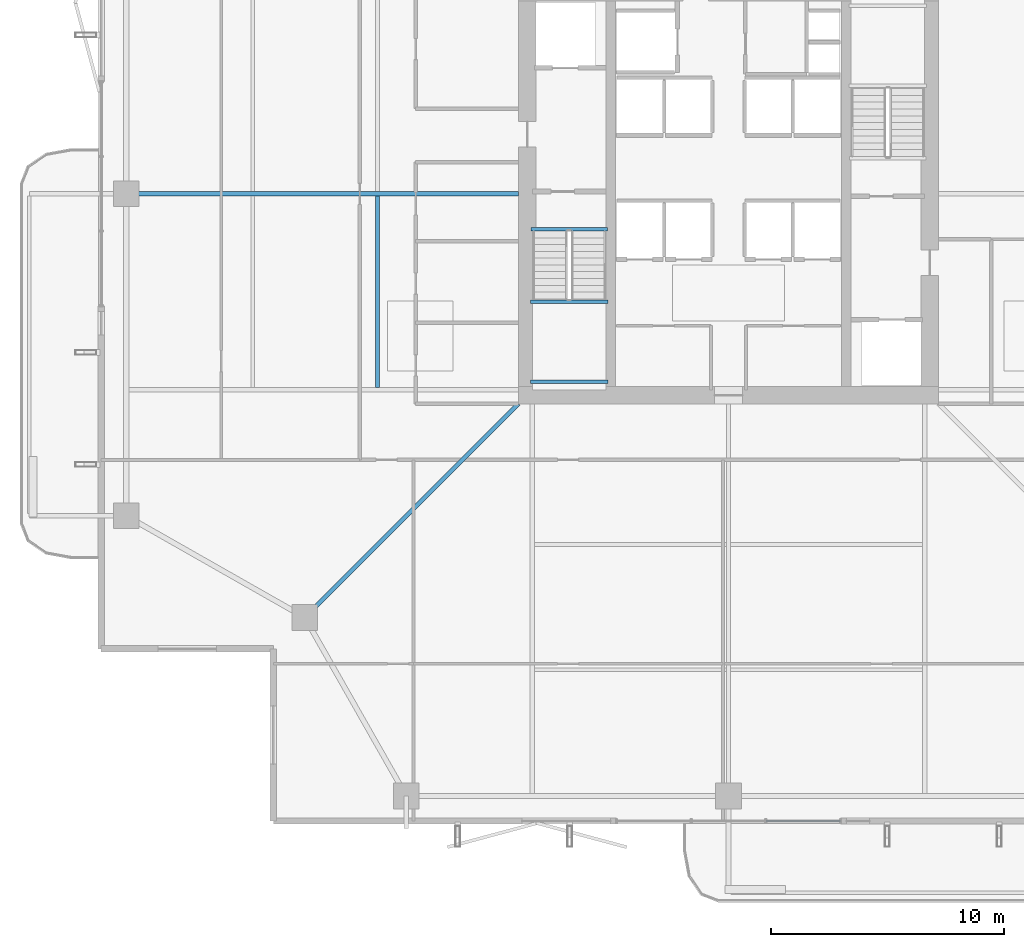
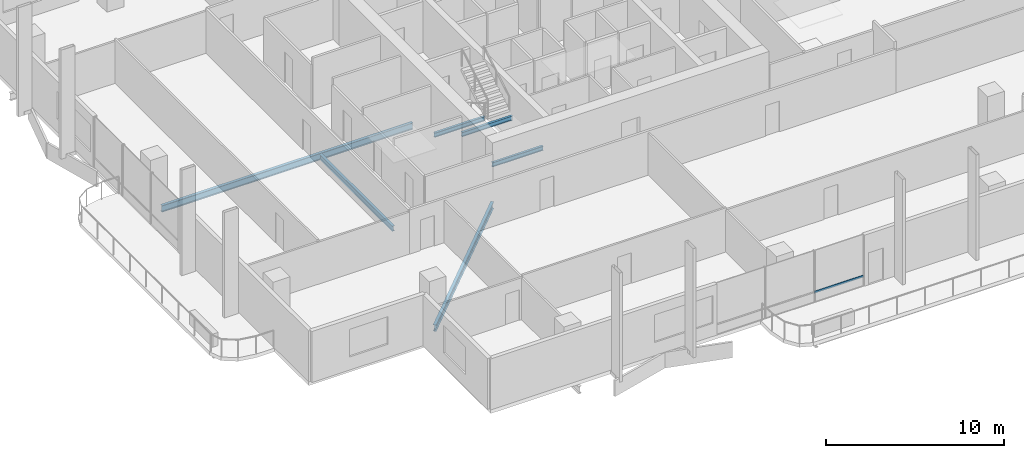
# One storey, part 5 of 24: 6 beams, 1 member, 1 element without a shape of its own.
"""IFC4 building model written with IfcOpenShell, lengths in metres."""

from ifc_helpers import new_model, si_unit, direction, frame, origin, origin_2d, place, context, subcontext, project, spatial, hollow_rectangle, i_section, extrude, material, layer, layer_set, material_profile, profile_set, type_object, element, aggregate, save


model = new_model("IFC4")

# Units and contexts
model_context = context("Model", 3, precision=1e-05, world=origin(), true_north=direction((0.0, 1.0)))
body_context = subcontext(model_context, "Body", "Model", "MODEL_VIEW")
ifc_project = project(units=[si_unit("LENGTHUNIT", "METRE"), si_unit("AREAUNIT", "SQUARE_METRE"), si_unit("VOLUMEUNIT", "CUBIC_METRE"), si_unit("PLANEANGLEUNIT", "RADIAN"), si_unit("MASSUNIT", "GRAM", prefix="KILO")], contexts=[model_context])

# Site, building, storey
site_placement = place(None, origin())
site = spatial("IfcSite", under=ifc_project, at=site_placement, CompositionType="ELEMENT")
building_placement = place(site_placement, origin())
building = spatial("IfcBuilding", under=site, at=building_placement, Name="Belovzor Exchange Tower", CompositionType="ELEMENT")
storey_placement = place(building_placement, frame((0.0, 0.0, 226.199951171875)))
storey = spatial("IfcBuildingStorey", under=building, at=storey_placement, Name="L56", CompositionType="ELEMENT", Elevation=226.199951171875)

# Beams
ifc_material_1 = material(Name="Steel S355", Category="steel")
ifc_material_profile_1 = material_profile(ifc_material_1, i_section(OverallWidth=0.169921875, OverallDepth=0.360107421875, WebThickness=0.008056640625, FlangeThickness=0.0126953125, at=origin_2d()))
ifc_profile_set_1 = profile_set([ifc_material_profile_1], Name="Steel S355")
beam_type_1 = type_object("IfcBeamType", Name="Secondary Infill Floor Joist IPE 360", PredefinedType="BEAM", material=ifc_profile_set_1)
beam_1_placement = place(storey_placement, frame((13.77197265625, 20.4951171875, -0.429931640625), z_axis=(0.0, 1.0, 0.0), x_axis=(-1.0, 0.0, 0.0)))
element("IfcBeam", 1, at=beam_1_placement, inside=storey, type_object=beam_type_1, Name="FJ-360 Secondary Infill Floor Joist IPE 360", PredefinedType="BEAM", context=body_context, shape_type="SweptSolid", body=[
    extrude(i_section(OverallWidth=0.169921875, OverallDepth=0.360107421875, WebThickness=0.008056640625, FlangeThickness=0.0126953125, at=origin_2d()), origin(), (0.0, 0.0, 1.0), 8.2099609375),
])
ifc_material_2 = material(Name="Steel S355", Category="steel")
ifc_material_profile_2 = material_profile(ifc_material_2, i_section(OverallWidth=0.14990234375, OverallDepth=0.300048828125, WebThickness=0.007080078125, FlangeThickness=0.0107421875, at=origin_2d()))
ifc_profile_set_2 = profile_set([ifc_material_profile_2], Name="Steel S355")
beam_type_2 = type_object("IfcBeamType", Name="Secondary Trim Floor Joist IPE 300", PredefinedType="BEAM", material=ifc_profile_set_2)
for number, where, z_axis, x_axis, name in (
    (2, (20.320068359375, 24.179931640625, 1.525146484375), (1.0, 0.0, 0.0), (0.0, 1.0, 0.0), "FJ-300 Secondary Trim Floor Joist IPE 300"),
    (3, (20.320068359375, 20.75, 1.525146484375), (1.0, 0.0, 0.0), (0.0, 1.0, 0.0), "FJ-300 Secondary Trim Floor Joist IPE 300"),
):
    element("IfcBeam", number, at=place(storey_placement, frame(where, z_axis=z_axis, x_axis=x_axis)), inside=storey, type_object=beam_type_2, Name=name, PredefinedType="BEAM", context=body_context, shape_type="SweptSolid", body=[
        extrude(i_section(OverallWidth=0.14990234375, OverallDepth=0.300048828125, WebThickness=0.007080078125, FlangeThickness=0.0107421875, at=origin_2d()), origin(), (0.0, 0.0, 1.0), 3.309814453125),
    ])
beam_2_placement = place(storey_placement, frame((20.340087890625, 27.280029296875, -0.39990234375), z_axis=(1.0, 0.0, 0.0), x_axis=(0.0, 1.0, 0.0)))
element("IfcBeam", 4, at=beam_2_placement, inside=storey, type_object=beam_type_2, Name="FJ-300 Secondary Trim Floor Joist IPE 300", PredefinedType="BEAM", context=body_context, shape_type="SweptSolid", body=[
    extrude(i_section(OverallWidth=0.14990234375, OverallDepth=0.300048828125, WebThickness=0.007080078125, FlangeThickness=0.0107421875, at=origin_2d()), origin(), (0.0, 0.0, 1.0), 3.27001953125),
])

# Curtain wall, member
ifc_material_3 = material(Name="Anodised Aluminium Framing", Category="aluminium")
ifc_layer = layer(ifc_material_3, 0.179931640625)
ifc_layer_set = layer_set([ifc_layer], Name="Anodised Aluminium Framing")
curtain_wall_type = type_object("IfcCurtainWallType", Name="Recessed Loggia Low-Iron Triple-Glazed Curtain Wall", PredefinedType="NOTDEFINED", material=ifc_layer_set)
curtain_wall_placement = place(storey_placement, origin())
curtain_wall = element("IfcCurtainWall", 5, at=curtain_wall_placement, inside=storey, type_object=curtain_wall_type, Name="CW3 Recessed Loggia Low-Iron Triple-Glazed Curtain Wall L56", PredefinedType="NOTDEFINED")
ifc_material_4 = material(Name="Steel S355", Category="steel")
ifc_material_profile_3 = material_profile(ifc_material_4, hollow_rectangle(XDim=0.06005859375, YDim=0.14990234375, WallThickness=0.00390625, at=origin_2d()))
ifc_profile_set_3 = profile_set([ifc_material_profile_3], Name="Steel S355")
member_type = type_object("IfcMemberType", Name="Thermally Broken Curtain Wall Transom 150x60", PredefinedType="USERDEFINED", material=ifc_profile_set_3)
member_placement = place(storey_placement, frame((33.592041015625, 1.929931640625, 0.630126953125), z_axis=(-1.0, 0.0, 0.0), x_axis=(0.0, -1.0, 0.0)))
member = element("IfcMember", 6, at=member_placement, type_object=member_type, Name="CW-T150 Curtain Wall Transom 1", ObjectType="TRANSOM", PredefinedType="USERDEFINED", context=body_context, shape_type="SweptSolid", body=[
    extrude(hollow_rectangle(XDim=0.06005859375, YDim=0.14990234375, WallThickness=0.00390625, at=origin_2d()), origin(), (0.0, 0.0, 1.0), 3.18408203125),
])
aggregate(curtain_wall, [member])

# Beams
ifc_material_5 = material(Name="Steel S355", Category="steel")
ifc_material_profile_4 = material_profile(ifc_material_5, i_section(OverallWidth=0.18994140625, OverallDepth=0.449951171875, WebThickness=0.009521484375, FlangeThickness=0.0146484375, at=origin_2d()))
ifc_profile_set_4 = profile_set([ifc_material_profile_4], Name="Steel S355")
beam_type_3 = type_object("IfcBeamType", Name="Zone 2-4 Radial Composite Floor Beam IPE 450", PredefinedType="BEAM", material=ifc_profile_set_4)
beam_3_placement = place(storey_placement, frame((19.800048828125, 28.800048828125, -0.474853515625), z_axis=(-1.0, 0.0, 0.0), x_axis=(0.0, -1.0, 0.0)))
element("IfcBeam", 7, at=beam_3_placement, inside=storey, type_object=beam_type_3, Name="FB-450 Zone 2-4 Radial Composite Floor Beam IPE 450", PredefinedType="BEAM", context=body_context, shape_type="SweptSolid", body=[
    extrude(i_section(OverallWidth=0.18994140625, OverallDepth=0.449951171875, WebThickness=0.009521484375, FlangeThickness=0.0146484375, at=origin_2d()), origin(), (0.0, 0.0, 1.0), 16.316162109375),
])
beam_4_placement = place(storey_placement, frame((19.800048828125, 19.800048828125, -0.474853515625), z_axis=(-0.707106781187, -0.707106781187, 0.0), x_axis=(0.707106781187, -0.707106781187, 0.0)))
element("IfcBeam", 8, at=beam_4_placement, inside=storey, type_object=beam_type_3, Name="FB-450 Zone 2-4 Radial Composite Floor Beam IPE 450", PredefinedType="BEAM", context=body_context, shape_type="SweptSolid", body=[
    extrude(i_section(OverallWidth=0.18994140625, OverallDepth=0.449951171875, WebThickness=0.009521484375, FlangeThickness=0.0146484375, at=origin_2d()), origin(), (0.0, 0.0, 1.0), 12.551025390625),
])

save(model, "model.ifc")
